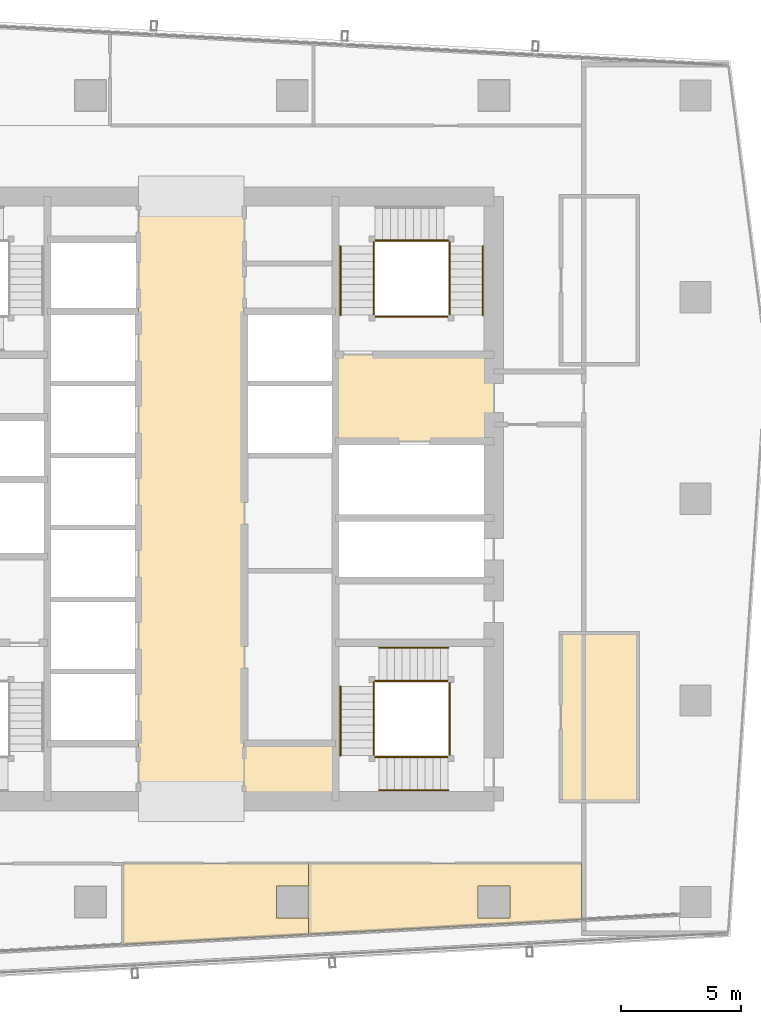
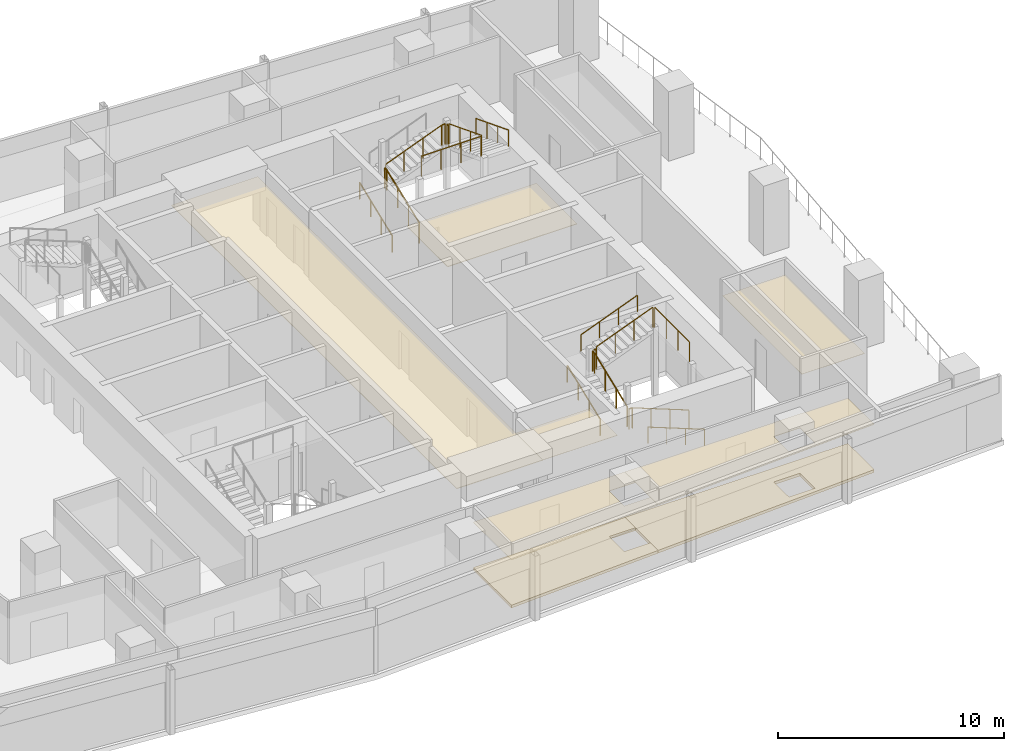
# One storey, part 25 of 26: 19 railings, 8 coverings.
"""IFC4 building model written with IfcOpenShell, lengths in metres."""

from ifc_helpers import new_model, si_unit, direction, frame, origin, origin_2d, place, context, subcontext, project, spatial, polyline, circle, outline, extrude, material, layer, layer_set, type_object, element, save


model = new_model("IFC4")

# Units and contexts
model_context = context("Model", 3, precision=1e-05, world=origin(), true_north=direction((0.0, 1.0)))
body_context = subcontext(model_context, "Body", "Model", "MODEL_VIEW")
ifc_project = project(units=[si_unit("LENGTHUNIT", "METRE"), si_unit("AREAUNIT", "SQUARE_METRE"), si_unit("VOLUMEUNIT", "CUBIC_METRE"), si_unit("PLANEANGLEUNIT", "RADIAN"), si_unit("MASSUNIT", "GRAM", prefix="KILO")], contexts=[model_context])

# Site, building, storey
site_placement = place(None, origin())
site = spatial("IfcSite", under=ifc_project, at=site_placement, CompositionType="ELEMENT")
building_placement = place(site_placement, origin())
building = spatial("IfcBuilding", under=site, at=building_placement, Name="Rekha Terrace Tower", CompositionType="ELEMENT")
storey_placement = place(building_placement, frame((0.0, 0.0, 283.85009765625)))
storey = spatial("IfcBuildingStorey", under=building, at=storey_placement, Name="L72", CompositionType="ELEMENT", Elevation=283.85009765625)

# Coverings
ifc_material_1 = material(Name="Mineral fibre tile in exposed grid", Category="finish")
ifc_layer_1 = layer(ifc_material_1, 0.02001953125)
ifc_layer_set_1 = layer_set([ifc_layer_1], Name="Mineral fibre tile in exposed grid")
covering_type_1 = type_object("IfcCoveringType", Name="CL1 600x1200 office grid ceiling", PredefinedType="CEILING", material=ifc_layer_set_1)
covering_1_placement = place(storey_placement, frame((0.0, 0.0, 2.579833984375)))
element("IfcCovering", 1, at=covering_1_placement, inside=storey, type_object=covering_type_1, Name="Ceiling L72-02", PredefinedType="CEILING", context=body_context, shape_type="SweptSolid", body=[
    extrude(outline(polyline([(54.049072265625, 16.072998046875), (54.049072265625, 18.39990234375), (42.674072265625, 18.39990234375), (42.674072265625, 15.4541015625), (54.049072265625, 16.072998046875)]), holes=[polyline([(51.06494140625, 16.135009765625), (49.735107421875, 16.135009765625), (49.735107421875, 17.465087890625), (51.06494140625, 17.465087890625), (51.06494140625, 16.135009765625)])]), origin(), (0.0, 0.0, 1.0), 0.02001953125),
])
covering_2_placement = place(storey_placement, frame((0.0, 0.0, 2.579833984375)))
element("IfcCovering", 2, at=covering_2_placement, inside=storey, type_object=covering_type_1, Name="Ceiling L72-12", PredefinedType="CEILING", context=body_context, shape_type="SweptSolid", body=[
    extrude(outline(polyline([(42.674072265625, 18.39990234375), (34.947998046875, 18.39990234375), (34.947998046875, 15.033935546875), (42.674072265625, 15.4541015625), (42.674072265625, 16.135009765625), (41.3349609375, 16.135009765625), (41.3349609375, 17.465087890625), (42.674072265625, 17.465087890625), (42.674072265625, 18.39990234375)])), origin(), (0.0, 0.0, 1.0), 0.02001953125),
])
ifc_material_2 = material(Name="Fibre cement board", Category="finish")
ifc_layer_2 = layer(ifc_material_2, 0.014892578125)
ifc_layer_set_2 = layer_set([ifc_layer_2], Name="Fibre cement board")
covering_type_2 = type_object("IfcCoveringType", Name="CL2 moisture-resistant board ceiling", PredefinedType="CEILING", material=ifc_layer_set_2)
covering_3_placement = place(storey_placement, frame((0.0, 0.0, 2.5849609375)))
element("IfcCovering", 3, at=covering_3_placement, inside=storey, type_object=covering_type_2, Name="Ceiling L72-WCA", PredefinedType="CEILING", context=body_context, shape_type="SweptSolid", body=[
    extrude(outline(polyline([(43.800048828125, 23.39990234375), (40.0, 23.39990234375), (40.0, 21.0), (43.800048828125, 21.0), (43.800048828125, 23.39990234375)])), origin(), (0.0, 0.0, 1.0), 0.014892578125),
])
covering_4_placement = place(storey_placement, frame((0.0, 0.0, 2.5849609375)))
element("IfcCovering", 4, at=covering_4_placement, inside=storey, type_object=covering_type_2, Name="Ceiling L72-WCM2", PredefinedType="CEILING", context=body_context, shape_type="SweptSolid", body=[
    extrude(outline(polyline([(56.39990234375, 28.0), (53.199951171875, 28.0), (53.199951171875, 21.0), (56.39990234375, 21.0), (56.39990234375, 28.0)])), origin(), (0.0, 0.0, 1.0), 0.014892578125),
])
ifc_material_3 = material(Name="Powder-coated aluminium pan", Category="aluminium")
ifc_layer_3 = layer(ifc_material_3, 0.030029296875)
ifc_layer_set_3 = layer_set([ifc_layer_3], Name="Powder-coated aluminium pan")
covering_type_3 = type_object("IfcCoveringType", Name="CL3 300x1200 metal pan ceiling", PredefinedType="CEILING", material=ifc_layer_set_3)
covering_5_placement = place(storey_placement, frame((0.0, 0.0, 2.56982421875)))
element("IfcCovering", 5, at=covering_5_placement, inside=storey, type_object=covering_type_3, Name="Ceiling L72-LOBBY", PredefinedType="CEILING", context=body_context, shape_type="SweptSolid", body=[
    extrude(outline(polyline([(40.0, 46.199951171875), (35.60009765625, 46.199951171875), (35.60009765625, 21.0), (40.0, 21.0), (40.0, 46.199951171875)])), origin(), (0.0, 0.0, 1.0), 0.030029296875),
])
covering_6_placement = place(storey_placement, frame((0.0, 0.0, 2.56982421875)))
element("IfcCovering", 6, at=covering_6_placement, inside=storey, type_object=covering_type_3, Name="Ceiling L72-FLB2", PredefinedType="CEILING", context=body_context, shape_type="SweptSolid", body=[
    extrude(outline(polyline([(50.39990234375, 39.60009765625), (43.800048828125, 39.60009765625), (43.800048828125, 36.0), (50.39990234375, 36.0), (50.39990234375, 39.60009765625)])), origin(), (0.0, 0.0, 1.0), 0.030029296875),
])

# Railings
ifc_material_4 = material(Name="Stainless steel balustrade", Category="steel")
railing_type_1 = type_object("IfcRailingType", Name="GR1 1100 stair guard", PredefinedType="GUARDRAIL", material=ifc_material_4)
railing_1_placement = place(storey_placement, frame((45.389892578125, 41.25, 0.125)))
element("IfcRailing", 7, at=railing_1_placement, inside=storey, type_object=railing_type_1, Name="Guard ST2 L72 flight 1", PredefinedType="GUARDRAIL", context=body_context, shape_type="SweptSolid", body=[
    extrude(circle(Radius=0.02392578125, at=origin_2d()), frame((0.0, 0.0, 1.076171875), z_axis=(0.0, 0.931452331594, 0.363863372667), x_axis=(-1.0, 0.0, 0.0)), (0.0, 0.0, 1.0), 3.091796875),
    extrude(circle(Radius=0.02099609375, at=origin_2d()), origin(), (0.0, 0.0, 1.0), 1.052001953125),
    extrude(circle(Radius=0.02099609375, at=origin_2d()), frame((0.0, 0.9599609375, 0.375)), (0.0, 0.0, 1.0), 1.052001953125),
    extrude(circle(Radius=0.02099609375, at=origin_2d()), frame((0.0, 1.919921875, 0.75)), (0.0, 0.0, 1.0), 1.052001953125),
    extrude(circle(Radius=0.02099609375, at=origin_2d()), frame((0.0, 2.8798828125, 1.125)), (0.0, 0.0, 1.0), 1.052001953125),
])
railing_2_placement = place(storey_placement, frame((45.449951171875, 44.360107421875, 1.375)))
element("IfcRailing", 8, at=railing_2_placement, inside=storey, type_object=railing_type_1, Name="Guard ST2 L72 flight 2", PredefinedType="GUARDRAIL", context=body_context, shape_type="SweptSolid", body=[
    extrude(circle(Radius=0.02392578125, at=origin_2d()), frame((0.0, 0.0, 1.076171875), z_axis=(0.931462784923, 0.0, 0.363836612098), x_axis=(0.0, 1.0, 0.0)), (0.0, 0.0, 1.0), 3.092041015625),
    extrude(circle(Radius=0.02099609375, at=origin_2d()), origin(), (0.0, 0.0, 1.0), 1.052001953125),
    extrude(circle(Radius=0.02099609375, at=origin_2d()), frame((0.9599609375, 0.0, 0.375)), (0.0, 0.0, 1.0), 1.052001953125),
    extrude(circle(Radius=0.02099609375, at=origin_2d()), frame((1.920166015625, 0.0, 0.75)), (0.0, 0.0, 1.0), 1.052001953125),
    extrude(circle(Radius=0.02099609375, at=origin_2d()), frame((2.880126953125, 0.0, 1.125)), (0.0, 0.0, 1.0), 1.052001953125),
])
railing_3_placement = place(storey_placement, frame((48.56005859375, 44.1298828125, 2.625)))
element("IfcRailing", 9, at=railing_3_placement, inside=storey, type_object=railing_type_1, Name="Guard ST2 L72 flight 3", PredefinedType="GUARDRAIL", context=body_context, shape_type="SweptSolid", body=[
    extrude(circle(Radius=0.02392578125, at=origin_2d()), frame((0.0, 0.0, 1.076171875), z_axis=(0.0, -0.931452331594, 0.363863372667), x_axis=(1.0, 0.0, 0.0)), (0.0, 0.0, 1.0), 3.091796875),
    extrude(circle(Radius=0.02099609375, at=origin_2d()), origin(), (0.0, 0.0, 1.0), 1.052001953125),
    extrude(circle(Radius=0.02099609375, at=origin_2d()), frame((0.0, -0.9599609375, 0.375)), (0.0, 0.0, 1.0), 1.052001953125),
    extrude(circle(Radius=0.02099609375, at=origin_2d()), frame((0.0, -1.919921875, 0.75)), (0.0, 0.0, 1.0), 1.052001953125),
    extrude(circle(Radius=0.02099609375, at=origin_2d()), frame((0.0, -2.8798828125, 1.125)), (0.0, 0.0, 1.0), 1.052001953125),
])
railing_4_placement = place(storey_placement, frame((45.389892578125, 44.1298828125, 1.25)))
element("IfcRailing", 10, at=railing_4_placement, inside=storey, type_object=railing_type_1, Name="Guard ST2 L72 landing 1", PredefinedType="GUARDRAIL", context=body_context, shape_type="SweptSolid", body=[
    extrude(circle(Radius=0.02392578125, at=origin_2d()), frame((0.0, 0.0, 1.076171875), z_axis=(0.0, 1.0, 0.0), x_axis=(-1.0, 0.0, 0.0)), (0.0, 0.0, 1.0), 0.170166015625),
    extrude(circle(Radius=0.02099609375, at=origin_2d()), origin(), (0.0, 0.0, 1.0), 1.052001953125),
    extrude(circle(Radius=0.02099609375, at=origin_2d()), frame((0.0, 0.170166015625, 0.0)), (0.0, 0.0, 1.0), 1.052001953125),
])
railing_5_placement = place(storey_placement, frame((48.330078125, 44.360107421875, 2.5)))
element("IfcRailing", 11, at=railing_5_placement, inside=storey, type_object=railing_type_1, Name="Guard ST2 L72 landing 2", PredefinedType="GUARDRAIL", context=body_context, shape_type="SweptSolid", body=[
    extrude(circle(Radius=0.02392578125, at=origin_2d()), frame((0.0, 0.0, 1.076171875), z_axis=(1.0, 0.0, 0.0), x_axis=(0.0, 1.0, 0.0)), (0.0, 0.0, 1.0), 0.169921875),
    extrude(circle(Radius=0.02099609375, at=origin_2d()), origin(), (0.0, 0.0, 1.0), 1.052001953125),
    extrude(circle(Radius=0.02099609375, at=origin_2d()), frame((0.169921875, 0.0, 0.0)), (0.0, 0.0, 1.0), 1.052001953125),
])
railing_6_placement = place(storey_placement, frame((48.56005859375, 44.1298828125, 2.5)))
element("IfcRailing", 12, at=railing_6_placement, inside=storey, type_object=railing_type_1, Name="Guard ST2 L72 landing 3", PredefinedType="GUARDRAIL", context=body_context, shape_type="SweptSolid", body=[
    extrude(circle(Radius=0.02392578125, at=origin_2d()), frame((0.0, 0.0, 1.076171875), z_axis=(0.0, 1.0, 0.0), x_axis=(-1.0, 0.0, 0.0)), (0.0, 0.0, 1.0), 0.170166015625),
    extrude(circle(Radius=0.02099609375, at=origin_2d()), origin(), (0.0, 0.0, 1.0), 1.052001953125),
    extrude(circle(Radius=0.02099609375, at=origin_2d()), frame((0.0, 0.170166015625, 0.0)), (0.0, 0.0, 1.0), 1.052001953125),
])
railing_7_placement = place(storey_placement, frame((45.449951171875, 41.18994140625, 3.75)))
element("IfcRailing", 13, at=railing_7_placement, inside=storey, type_object=railing_type_1, Name="Guard ST2 L72 landing 4", PredefinedType="GUARDRAIL", context=body_context, shape_type="SweptSolid", body=[
    extrude(circle(Radius=0.02392578125, at=origin_2d()), frame((0.0, 0.0, 1.076171875), z_axis=(1.0, 0.0, 0.0), x_axis=(0.0, 1.0, 0.0)), (0.0, 0.0, 1.0), 3.050048828125),
    extrude(circle(Radius=0.02099609375, at=origin_2d()), origin(), (0.0, 0.0, 1.0), 1.052001953125),
    extrude(circle(Radius=0.02099609375, at=origin_2d()), frame((1.0166015625, 0.0, 0.0)), (0.0, 0.0, 1.0), 1.052001953125),
    extrude(circle(Radius=0.02099609375, at=origin_2d()), frame((2.033447265625, 0.0, 0.0)), (0.0, 0.0, 1.0), 1.052001953125),
    extrude(circle(Radius=0.02099609375, at=origin_2d()), frame((3.050048828125, 0.0, 0.0)), (0.0, 0.0, 1.0), 1.052001953125),
])
railing_8_placement = place(storey_placement, frame((48.5, 22.840087890625, 0.125)))
element("IfcRailing", 14, at=railing_8_placement, inside=storey, type_object=railing_type_1, Name="Guard ST3 L72 flight 1", PredefinedType="GUARDRAIL", context=body_context, shape_type="SweptSolid", body=[
    extrude(circle(Radius=0.02392578125, at=origin_2d()), frame((0.0, 0.0, 1.076171875), z_axis=(-0.931452331594, 0.0, 0.363863372667), x_axis=(0.0, -1.0, 0.0)), (0.0, 0.0, 1.0), 3.091796875),
    extrude(circle(Radius=0.02099609375, at=origin_2d()), origin(), (0.0, 0.0, 1.0), 1.052001953125),
    extrude(circle(Radius=0.02099609375, at=origin_2d()), frame((-0.9599609375, 0.0, 0.375)), (0.0, 0.0, 1.0), 1.052001953125),
    extrude(circle(Radius=0.02099609375, at=origin_2d()), frame((-1.919921875, 0.0, 0.75)), (0.0, 0.0, 1.0), 1.052001953125),
    extrude(circle(Radius=0.02099609375, at=origin_2d()), frame((-2.8798828125, 0.0, 1.125)), (0.0, 0.0, 1.0), 1.052001953125),
])
railing_9_placement = place(storey_placement, frame((45.389892578125, 22.89990234375, 1.375)))
element("IfcRailing", 15, at=railing_9_placement, inside=storey, type_object=railing_type_1, Name="Guard ST3 L72 flight 2", PredefinedType="GUARDRAIL", context=body_context, shape_type="SweptSolid", body=[
    extrude(circle(Radius=0.02392578125, at=origin_2d()), frame((0.0, 0.0, 1.076171875), z_axis=(0.0, 0.931462784923, 0.363836612098), x_axis=(-1.0, 0.0, 0.0)), (0.0, 0.0, 1.0), 3.092041015625),
    extrude(circle(Radius=0.02099609375, at=origin_2d()), origin(), (0.0, 0.0, 1.0), 1.052001953125),
    extrude(circle(Radius=0.02099609375, at=origin_2d()), frame((0.0, 0.9599609375, 0.375)), (0.0, 0.0, 1.0), 1.052001953125),
    extrude(circle(Radius=0.02099609375, at=origin_2d()), frame((0.0, 1.920166015625, 0.75)), (0.0, 0.0, 1.0), 1.052001953125),
    extrude(circle(Radius=0.02099609375, at=origin_2d()), frame((0.0, 2.880126953125, 1.125)), (0.0, 0.0, 1.0), 1.052001953125),
])
railing_10_placement = place(storey_placement, frame((45.6201171875, 26.010009765625, 2.625)))
element("IfcRailing", 16, at=railing_10_placement, inside=storey, type_object=railing_type_1, Name="Guard ST3 L72 flight 3", PredefinedType="GUARDRAIL", context=body_context, shape_type="SweptSolid", body=[
    extrude(circle(Radius=0.02392578125, at=origin_2d()), frame((0.0, 0.0, 1.076171875), z_axis=(0.931452331594, 0.0, 0.363863372667), x_axis=(0.0, 1.0, 0.0)), (0.0, 0.0, 1.0), 3.091796875),
    extrude(circle(Radius=0.02099609375, at=origin_2d()), origin(), (0.0, 0.0, 1.0), 1.052001953125),
    extrude(circle(Radius=0.02099609375, at=origin_2d()), frame((0.9599609375, 0.0, 0.375)), (0.0, 0.0, 1.0), 1.052001953125),
    extrude(circle(Radius=0.02099609375, at=origin_2d()), frame((1.919921875, 0.0, 0.75)), (0.0, 0.0, 1.0), 1.052001953125),
    extrude(circle(Radius=0.02099609375, at=origin_2d()), frame((2.8798828125, 0.0, 1.125)), (0.0, 0.0, 1.0), 1.052001953125),
])
railing_11_placement = place(storey_placement, frame((45.6201171875, 22.840087890625, 1.25)))
element("IfcRailing", 17, at=railing_11_placement, inside=storey, type_object=railing_type_1, Name="Guard ST3 L72 landing 1", PredefinedType="GUARDRAIL", context=body_context, shape_type="SweptSolid", body=[
    extrude(circle(Radius=0.02392578125, at=origin_2d()), frame((0.0, 0.0, 1.076171875), z_axis=(-1.0, 0.0, 0.0), x_axis=(0.0, -1.0, 0.0)), (0.0, 0.0, 1.0), 0.170166015625),
    extrude(circle(Radius=0.02099609375, at=origin_2d()), origin(), (0.0, 0.0, 1.0), 1.052001953125),
    extrude(circle(Radius=0.02099609375, at=origin_2d()), frame((-0.170166015625, 0.0, 0.0)), (0.0, 0.0, 1.0), 1.052001953125),
])
railing_12_placement = place(storey_placement, frame((45.389892578125, 25.780029296875, 2.5)))
element("IfcRailing", 18, at=railing_12_placement, inside=storey, type_object=railing_type_1, Name="Guard ST3 L72 landing 2", PredefinedType="GUARDRAIL", context=body_context, shape_type="SweptSolid", body=[
    extrude(circle(Radius=0.02392578125, at=origin_2d()), frame((0.0, 0.0, 1.076171875), z_axis=(0.0, 1.0, 0.0), x_axis=(-1.0, 0.0, 0.0)), (0.0, 0.0, 1.0), 0.169921875),
    extrude(circle(Radius=0.02099609375, at=origin_2d()), origin(), (0.0, 0.0, 1.0), 1.052001953125),
    extrude(circle(Radius=0.02099609375, at=origin_2d()), frame((0.0, 0.169921875, 0.0)), (0.0, 0.0, 1.0), 1.052001953125),
])
railing_13_placement = place(storey_placement, frame((45.6201171875, 26.010009765625, 2.5)))
element("IfcRailing", 19, at=railing_13_placement, inside=storey, type_object=railing_type_1, Name="Guard ST3 L72 landing 3", PredefinedType="GUARDRAIL", context=body_context, shape_type="SweptSolid", body=[
    extrude(circle(Radius=0.02392578125, at=origin_2d()), frame((0.0, 0.0, 1.076171875), z_axis=(-1.0, 0.0, 0.0), x_axis=(0.0, -1.0, 0.0)), (0.0, 0.0, 1.0), 0.170166015625),
    extrude(circle(Radius=0.02099609375, at=origin_2d()), origin(), (0.0, 0.0, 1.0), 1.052001953125),
    extrude(circle(Radius=0.02099609375, at=origin_2d()), frame((-0.170166015625, 0.0, 0.0)), (0.0, 0.0, 1.0), 1.052001953125),
])
railing_14_placement = place(storey_placement, frame((48.56005859375, 22.89990234375, 3.75)))
element("IfcRailing", 20, at=railing_14_placement, inside=storey, type_object=railing_type_1, Name="Guard ST3 L72 landing 4", PredefinedType="GUARDRAIL", context=body_context, shape_type="SweptSolid", body=[
    extrude(circle(Radius=0.02392578125, at=origin_2d()), frame((0.0, 0.0, 1.076171875), z_axis=(0.0, 1.0, 0.0), x_axis=(-1.0, 0.0, 0.0)), (0.0, 0.0, 1.0), 3.050048828125),
    extrude(circle(Radius=0.02099609375, at=origin_2d()), origin(), (0.0, 0.0, 1.0), 1.052001953125),
    extrude(circle(Radius=0.02099609375, at=origin_2d()), frame((0.0, 1.0166015625, 0.0)), (0.0, 0.0, 1.0), 1.052001953125),
    extrude(circle(Radius=0.02099609375, at=origin_2d()), frame((0.0, 2.033447265625, 0.0)), (0.0, 0.0, 1.0), 1.052001953125),
    extrude(circle(Radius=0.02099609375, at=origin_2d()), frame((0.0, 3.050048828125, 0.0)), (0.0, 0.0, 1.0), 1.052001953125),
])
ifc_material_5 = material(Name="Stainless steel tube", Category="steel")
railing_type_2 = type_object("IfcRailingType", Name="HR1 900 stair handrail", PredefinedType="HANDRAIL", material=ifc_material_5)
railing_15_placement = place(storey_placement, frame((44.010009765625, 41.25, 0.125)))
element("IfcRailing", 21, at=railing_15_placement, inside=storey, type_object=railing_type_2, Name="Handrail ST2 L72 flight 1", PredefinedType="HANDRAIL", context=body_context, shape_type="SweptSolid", body=[
    extrude(circle(Radius=0.02392578125, at=origin_2d()), frame((0.0, 0.0, 0.8759765625), z_axis=(0.0, 0.931452331594, 0.363863372667), x_axis=(-1.0, 0.0, 0.0)), (0.0, 0.0, 1.0), 3.091796875),
    extrude(circle(Radius=0.02099609375, at=origin_2d()), origin(), (0.0, 0.0, 1.0), 0.851806640625),
    extrude(circle(Radius=0.02099609375, at=origin_2d()), frame((0.0, 0.9599609375, 0.375)), (0.0, 0.0, 1.0), 0.851806640625),
    extrude(circle(Radius=0.02099609375, at=origin_2d()), frame((0.0, 1.919921875, 0.75)), (0.0, 0.0, 1.0), 0.851806640625),
    extrude(circle(Radius=0.02099609375, at=origin_2d()), frame((0.0, 2.8798828125, 1.125)), (0.0, 0.0, 1.0), 0.851806640625),
])
railing_16_placement = place(storey_placement, frame((49.93994140625, 44.1298828125, 2.625)))
element("IfcRailing", 22, at=railing_16_placement, inside=storey, type_object=railing_type_2, Name="Handrail ST2 L72 flight 3", PredefinedType="HANDRAIL", context=body_context, shape_type="SweptSolid", body=[
    extrude(circle(Radius=0.02392578125, at=origin_2d()), frame((0.0, 0.0, 0.8759765625), z_axis=(0.0, -0.931452331594, 0.363863372667), x_axis=(1.0, 0.0, 0.0)), (0.0, 0.0, 1.0), 3.091796875),
    extrude(circle(Radius=0.02099609375, at=origin_2d()), origin(), (0.0, 0.0, 1.0), 0.851806640625),
    extrude(circle(Radius=0.02099609375, at=origin_2d()), frame((0.0, -0.9599609375, 0.375)), (0.0, 0.0, 1.0), 0.851806640625),
    extrude(circle(Radius=0.02099609375, at=origin_2d()), frame((0.0, -1.919921875, 0.75)), (0.0, 0.0, 1.0), 0.851806640625),
    extrude(circle(Radius=0.02099609375, at=origin_2d()), frame((0.0, -2.8798828125, 1.125)), (0.0, 0.0, 1.0), 0.851806640625),
])
railing_17_placement = place(storey_placement, frame((48.5, 21.4599609375, 0.125)))
element("IfcRailing", 23, at=railing_17_placement, inside=storey, type_object=railing_type_2, Name="Handrail ST3 L72 flight 1", PredefinedType="HANDRAIL", context=body_context, shape_type="SweptSolid", body=[
    extrude(circle(Radius=0.02392578125, at=origin_2d()), frame((0.0, 0.0, 0.8759765625), z_axis=(-0.931452331594, 0.0, 0.363863372667), x_axis=(0.0, -1.0, 0.0)), (0.0, 0.0, 1.0), 3.091796875),
    extrude(circle(Radius=0.02099609375, at=origin_2d()), origin(), (0.0, 0.0, 1.0), 0.851806640625),
    extrude(circle(Radius=0.02099609375, at=origin_2d()), frame((-0.9599609375, 0.0, 0.375)), (0.0, 0.0, 1.0), 0.851806640625),
    extrude(circle(Radius=0.02099609375, at=origin_2d()), frame((-1.919921875, 0.0, 0.75)), (0.0, 0.0, 1.0), 0.851806640625),
    extrude(circle(Radius=0.02099609375, at=origin_2d()), frame((-2.8798828125, 0.0, 1.125)), (0.0, 0.0, 1.0), 0.851806640625),
])
railing_18_placement = place(storey_placement, frame((44.010009765625, 22.89990234375, 1.375)))
element("IfcRailing", 24, at=railing_18_placement, inside=storey, type_object=railing_type_2, Name="Handrail ST3 L72 flight 2", PredefinedType="HANDRAIL", context=body_context, shape_type="SweptSolid", body=[
    extrude(circle(Radius=0.02392578125, at=origin_2d()), frame((0.0, 0.0, 0.8759765625), z_axis=(0.0, 0.931462784923, 0.363836612098), x_axis=(-1.0, 0.0, 0.0)), (0.0, 0.0, 1.0), 3.092041015625),
    extrude(circle(Radius=0.02099609375, at=origin_2d()), origin(), (0.0, 0.0, 1.0), 0.851806640625),
    extrude(circle(Radius=0.02099609375, at=origin_2d()), frame((0.0, 0.9599609375, 0.375)), (0.0, 0.0, 1.0), 0.851806640625),
    extrude(circle(Radius=0.02099609375, at=origin_2d()), frame((0.0, 1.920166015625, 0.75)), (0.0, 0.0, 1.0), 0.851806640625),
    extrude(circle(Radius=0.02099609375, at=origin_2d()), frame((0.0, 2.880126953125, 1.125)), (0.0, 0.0, 1.0), 0.851806640625),
])
railing_19_placement = place(storey_placement, frame((45.6201171875, 27.389892578125, 2.625)))
element("IfcRailing", 25, at=railing_19_placement, inside=storey, type_object=railing_type_2, Name="Handrail ST3 L72 flight 3", PredefinedType="HANDRAIL", context=body_context, shape_type="SweptSolid", body=[
    extrude(circle(Radius=0.02392578125, at=origin_2d()), frame((0.0, 0.0, 0.8759765625), z_axis=(0.931452331594, 0.0, 0.363863372667), x_axis=(0.0, 1.0, 0.0)), (0.0, 0.0, 1.0), 3.091796875),
    extrude(circle(Radius=0.02099609375, at=origin_2d()), origin(), (0.0, 0.0, 1.0), 0.851806640625),
    extrude(circle(Radius=0.02099609375, at=origin_2d()), frame((0.9599609375, 0.0, 0.375)), (0.0, 0.0, 1.0), 0.851806640625),
    extrude(circle(Radius=0.02099609375, at=origin_2d()), frame((1.919921875, 0.0, 0.75)), (0.0, 0.0, 1.0), 0.851806640625),
    extrude(circle(Radius=0.02099609375, at=origin_2d()), frame((2.8798828125, 0.0, 1.125)), (0.0, 0.0, 1.0), 0.851806640625),
])

# Coverings
ifc_material_6 = material(Name="Calcium sulphate panels on steel pedestals", Category="steel")
ifc_layer_4 = layer(ifc_material_6, 0.14990234375)
ifc_layer_set_4 = layer_set([ifc_layer_4], Name="Calcium sulphate panels on steel pedestals")
covering_type_4 = type_object("IfcCoveringType", Name="RF1 150 raised access floor", PredefinedType="FLOORING", material=ifc_layer_set_4)
covering_7_placement = place(storey_placement, origin())
element("IfcCovering", 26, at=covering_7_placement, inside=storey, type_object=covering_type_4, Name="Raised floor L72-02", PredefinedType="FLOORING", context=body_context, shape_type="SweptSolid", body=[
    extrude(outline(polyline([(54.049072265625, 16.072998046875), (54.049072265625, 18.39990234375), (42.674072265625, 18.39990234375), (42.674072265625, 15.4541015625), (54.049072265625, 16.072998046875)]), holes=[polyline([(51.06494140625, 16.135009765625), (49.735107421875, 16.135009765625), (49.735107421875, 17.465087890625), (51.06494140625, 17.465087890625), (51.06494140625, 16.135009765625)])]), origin(), (0.0, 0.0, 1.0), 0.14990234375),
])
covering_8_placement = place(storey_placement, origin())
element("IfcCovering", 27, at=covering_8_placement, inside=storey, type_object=covering_type_4, Name="Raised floor L72-12", PredefinedType="FLOORING", context=body_context, shape_type="SweptSolid", body=[
    extrude(outline(polyline([(42.674072265625, 18.39990234375), (34.947998046875, 18.39990234375), (34.947998046875, 15.033935546875), (42.674072265625, 15.4541015625), (42.674072265625, 16.135009765625), (41.3349609375, 16.135009765625), (41.3349609375, 17.465087890625), (42.674072265625, 17.465087890625), (42.674072265625, 18.39990234375)])), origin(), (0.0, 0.0, 1.0), 0.14990234375),
])

save(model, "model.ifc")
